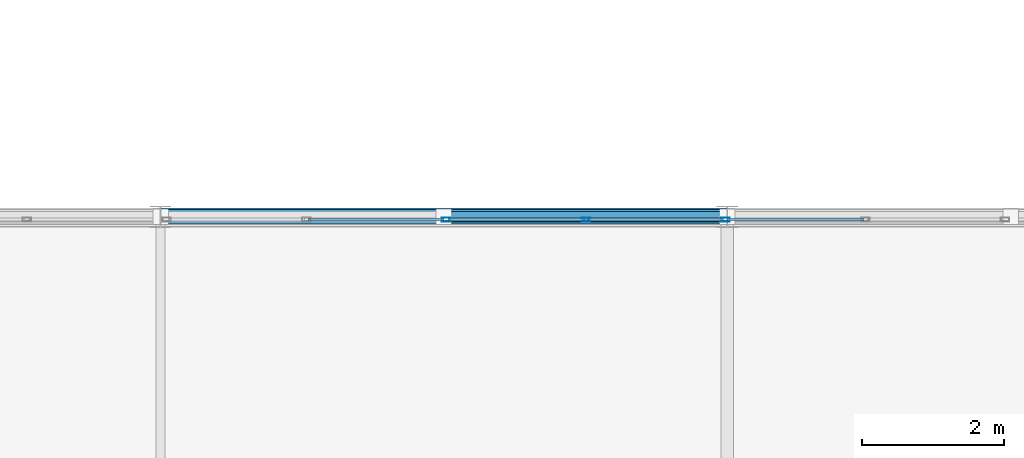
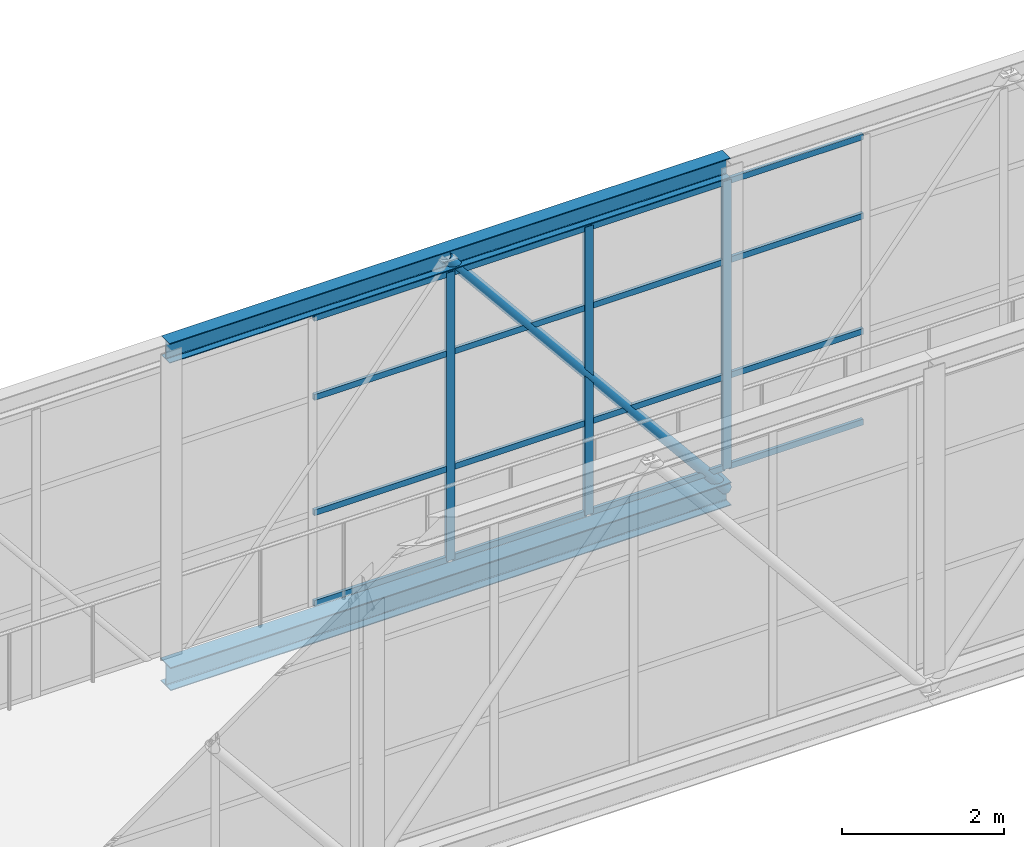
# One storey, part 160 of 248: 22 members, 1 element without a shape of its own.
"""IFC4 building model written with IfcOpenShell, lengths in metres."""

from ifc_helpers import new_model, si_unit, direction, frame, origin, origin_2d, place, context, subcontext, project, spatial, hollow_rectangle, hollow_circle, i_section, extrude, material, layer, layer_set, material_profile, profile_set, type_object, element, aggregate, save


model = new_model("IFC4")

# Units and contexts
model_context = context("Model", 3, precision=1e-05, world=origin(), true_north=direction((0.0, 1.0)))
body_context = subcontext(model_context, "Body", "Model", "MODEL_VIEW")
ifc_project = project(units=[si_unit("LENGTHUNIT", "METRE"), si_unit("AREAUNIT", "SQUARE_METRE"), si_unit("VOLUMEUNIT", "CUBIC_METRE"), si_unit("PLANEANGLEUNIT", "RADIAN"), si_unit("MASSUNIT", "GRAM", prefix="KILO")], contexts=[model_context])

# Site, building, storey
site_placement = place(None, origin())
site = spatial("IfcSite", under=ifc_project, at=site_placement, CompositionType="ELEMENT")
building_placement = place(site_placement, origin())
building = spatial("IfcBuilding", under=site, at=building_placement, Name="Canggui Botanical Conservatory", CompositionType="ELEMENT")
storey_placement = place(building_placement, frame((0.0, 0.0, 5.39990234375)))
storey = spatial("IfcBuildingStorey", under=building, at=storey_placement, Name="L02", CompositionType="ELEMENT", Elevation=5.39990234375)

# Curtain wall, members
ifc_material_1 = material(Name="Thermally Broken Aluminium", Category="aluminium")
ifc_layer = layer(ifc_material_1, 0.1201171875, Name="Thermally Broken Aluminium", Category="aluminium")
ifc_layer_set = layer_set([ifc_layer], Name="Thermally Broken Aluminium")
curtain_wall_type = type_object("IfcCurtainWallType", Name="CW-STICK-B", PredefinedType="USERDEFINED", material=ifc_layer_set)
curtain_wall_placement = place(storey_placement, origin())
curtain_wall = element("IfcCurtainWall", 1, at=curtain_wall_placement, inside=storey, type_object=curtain_wall_type, Name="Facade Curtain Wall CW-SB-04-2", ObjectType="STICK GLAZED WALL", PredefinedType="USERDEFINED")
ifc_material_profile_1 = material_profile(ifc_material_1, hollow_rectangle(XDim=0.054931640625, YDim=0.1201171875, WallThickness=0.0029296875, at=origin_2d()), Name="CWM 55x120x3")
ifc_profile_set_1 = profile_set([ifc_material_profile_1], Name="Thermally Broken Aluminium")
member_type_1 = type_object("IfcMemberType", Name="CWM-05", PredefinedType="MULLION", material=ifc_profile_set_1)
member_1_placement = place(storey_placement, frame((101.530517578125, 79.9599609375, 0.0), z_axis=(0.0, 0.0, 1.0), x_axis=(0.0, 1.0, 0.0)))
member_1 = element("IfcMember", 2, at=member_1_placement, type_object=member_type_1, Name="CW-05 mullion 19", PredefinedType="MULLION", context=body_context, shape_type="SweptSolid", body=[
    extrude(hollow_rectangle(XDim=0.054931640625, YDim=0.1201171875, WallThickness=0.0029296875, at=origin_2d()), origin(), (0.0, 0.0, 1.0), 4.35009765625),
])
member_2_placement = place(storey_placement, frame((103.50341796875, 79.9599609375, 0.0), z_axis=(0.0, 0.0, 1.0), x_axis=(0.0, 1.0, 0.0)))
member_2 = element("IfcMember", 3, at=member_2_placement, type_object=member_type_1, Name="CW-05 mullion 20", PredefinedType="MULLION", context=body_context, shape_type="SweptSolid", body=[
    extrude(hollow_rectangle(XDim=0.054931640625, YDim=0.1201171875, WallThickness=0.0029296875, at=origin_2d()), origin(), (0.0, 0.0, 1.0), 4.35009765625),
])
member_3_placement = place(storey_placement, frame((105.476318359375, 79.9599609375, 0.0), z_axis=(0.0, 0.0, 1.0), x_axis=(0.0, 1.0, 0.0)))
member_3 = element("IfcMember", 4, at=member_3_placement, type_object=member_type_1, Name="CW-05 mullion 21", PredefinedType="MULLION", context=body_context, shape_type="SweptSolid", body=[
    extrude(hollow_rectangle(XDim=0.054931640625, YDim=0.1201171875, WallThickness=0.0029296875, at=origin_2d()), origin(), (0.0, 0.0, 1.0), 4.35009765625),
])
ifc_material_profile_2 = material_profile(ifc_material_1, hollow_rectangle(XDim=0.044921875, YDim=0.090087890625, WallThickness=0.0029296875, at=origin_2d()), Name="CWT 45x90x3")
ifc_profile_set_2 = profile_set([ifc_material_profile_2], Name="Thermally Broken Aluminium")
member_type_2 = type_object("IfcMemberType", Name="CWT-05", PredefinedType="USERDEFINED", material=ifc_profile_set_2)
member_4_placement = place(storey_placement, frame((99.585205078125, 79.9599609375, 0.022705078125), z_axis=(1.0, 0.0, 0.0), x_axis=(0.0, 1.0, 0.0)))
member_4 = element("IfcMember", 5, at=member_4_placement, type_object=member_type_2, Name="CW-05 transom 18.1", ObjectType="TRANSOM", PredefinedType="USERDEFINED", context=body_context, shape_type="SweptSolid", body=[
    extrude(hollow_rectangle(XDim=0.044921875, YDim=0.090087890625, WallThickness=0.0029296875, at=origin_2d()), origin(), (0.0, 0.0, 1.0), 1.91796875),
])
member_5_placement = place(storey_placement, frame((99.585205078125, 79.9599609375, 1.39208984375), z_axis=(1.0, 0.0, 0.0), x_axis=(0.0, 1.0, 0.0)))
member_5 = element("IfcMember", 6, at=member_5_placement, type_object=member_type_2, Name="CW-05 transom 18.2", ObjectType="TRANSOM", PredefinedType="USERDEFINED", context=body_context, shape_type="SweptSolid", body=[
    extrude(hollow_rectangle(XDim=0.044921875, YDim=0.090087890625, WallThickness=0.0029296875, at=origin_2d()), origin(), (0.0, 0.0, 1.0), 1.91796875),
])
member_6_placement = place(storey_placement, frame((99.585205078125, 79.9599609375, 3.132080078125), z_axis=(1.0, 0.0, 0.0), x_axis=(0.0, 1.0, 0.0)))
member_6 = element("IfcMember", 7, at=member_6_placement, type_object=member_type_2, Name="CW-05 transom 18.3", ObjectType="TRANSOM", PredefinedType="USERDEFINED", context=body_context, shape_type="SweptSolid", body=[
    extrude(hollow_rectangle(XDim=0.044921875, YDim=0.090087890625, WallThickness=0.0029296875, at=origin_2d()), origin(), (0.0, 0.0, 1.0), 1.91796875),
])
member_7_placement = place(storey_placement, frame((99.585205078125, 79.9599609375, 4.32763671875), z_axis=(1.0, 0.0, 0.0), x_axis=(0.0, 1.0, 0.0)))
member_7 = element("IfcMember", 8, at=member_7_placement, type_object=member_type_2, Name="CW-05 transom 18.4", ObjectType="TRANSOM", PredefinedType="USERDEFINED", context=body_context, shape_type="SweptSolid", body=[
    extrude(hollow_rectangle(XDim=0.044921875, YDim=0.090087890625, WallThickness=0.0029296875, at=origin_2d()), origin(), (0.0, 0.0, 1.0), 1.91796875),
])
member_8_placement = place(storey_placement, frame((101.55810546875, 79.9599609375, 0.022705078125), z_axis=(1.0, 0.0, 0.0), x_axis=(0.0, 1.0, 0.0)))
member_8 = element("IfcMember", 9, at=member_8_placement, type_object=member_type_2, Name="CW-05 transom 19.1", ObjectType="TRANSOM", PredefinedType="USERDEFINED", context=body_context, shape_type="SweptSolid", body=[
    extrude(hollow_rectangle(XDim=0.044921875, YDim=0.090087890625, WallThickness=0.0029296875, at=origin_2d()), origin(), (0.0, 0.0, 1.0), 1.917724609375),
])
member_9_placement = place(storey_placement, frame((101.55810546875, 79.9599609375, 1.39208984375), z_axis=(1.0, 0.0, 0.0), x_axis=(0.0, 1.0, 0.0)))
member_9 = element("IfcMember", 10, at=member_9_placement, type_object=member_type_2, Name="CW-05 transom 19.2", ObjectType="TRANSOM", PredefinedType="USERDEFINED", context=body_context, shape_type="SweptSolid", body=[
    extrude(hollow_rectangle(XDim=0.044921875, YDim=0.090087890625, WallThickness=0.0029296875, at=origin_2d()), origin(), (0.0, 0.0, 1.0), 1.917724609375),
])
member_10_placement = place(storey_placement, frame((101.55810546875, 79.9599609375, 3.132080078125), z_axis=(1.0, 0.0, 0.0), x_axis=(0.0, 1.0, 0.0)))
member_10 = element("IfcMember", 11, at=member_10_placement, type_object=member_type_2, Name="CW-05 transom 19.3", ObjectType="TRANSOM", PredefinedType="USERDEFINED", context=body_context, shape_type="SweptSolid", body=[
    extrude(hollow_rectangle(XDim=0.044921875, YDim=0.090087890625, WallThickness=0.0029296875, at=origin_2d()), origin(), (0.0, 0.0, 1.0), 1.917724609375),
])
member_11_placement = place(storey_placement, frame((101.55810546875, 79.9599609375, 4.32763671875), z_axis=(1.0, 0.0, 0.0), x_axis=(0.0, 1.0, 0.0)))
member_11 = element("IfcMember", 12, at=member_11_placement, type_object=member_type_2, Name="CW-05 transom 19.4", ObjectType="TRANSOM", PredefinedType="USERDEFINED", context=body_context, shape_type="SweptSolid", body=[
    extrude(hollow_rectangle(XDim=0.044921875, YDim=0.090087890625, WallThickness=0.0029296875, at=origin_2d()), origin(), (0.0, 0.0, 1.0), 1.917724609375),
])
member_12_placement = place(storey_placement, frame((103.531005859375, 79.9599609375, 0.022705078125), z_axis=(1.0, 0.0, 0.0), x_axis=(0.0, 1.0, 0.0)))
member_12 = element("IfcMember", 13, at=member_12_placement, type_object=member_type_2, Name="CW-05 transom 20.1", ObjectType="TRANSOM", PredefinedType="USERDEFINED", context=body_context, shape_type="SweptSolid", body=[
    extrude(hollow_rectangle(XDim=0.044921875, YDim=0.090087890625, WallThickness=0.0029296875, at=origin_2d()), origin(), (0.0, 0.0, 1.0), 1.917724609375),
])
member_13_placement = place(storey_placement, frame((103.531005859375, 79.9599609375, 1.39208984375), z_axis=(1.0, 0.0, 0.0), x_axis=(0.0, 1.0, 0.0)))
member_13 = element("IfcMember", 14, at=member_13_placement, type_object=member_type_2, Name="CW-05 transom 20.2", ObjectType="TRANSOM", PredefinedType="USERDEFINED", context=body_context, shape_type="SweptSolid", body=[
    extrude(hollow_rectangle(XDim=0.044921875, YDim=0.090087890625, WallThickness=0.0029296875, at=origin_2d()), origin(), (0.0, 0.0, 1.0), 1.917724609375),
])
member_14_placement = place(storey_placement, frame((103.531005859375, 79.9599609375, 3.132080078125), z_axis=(1.0, 0.0, 0.0), x_axis=(0.0, 1.0, 0.0)))
member_14 = element("IfcMember", 15, at=member_14_placement, type_object=member_type_2, Name="CW-05 transom 20.3", ObjectType="TRANSOM", PredefinedType="USERDEFINED", context=body_context, shape_type="SweptSolid", body=[
    extrude(hollow_rectangle(XDim=0.044921875, YDim=0.090087890625, WallThickness=0.0029296875, at=origin_2d()), origin(), (0.0, 0.0, 1.0), 1.917724609375),
])
member_15_placement = place(storey_placement, frame((103.531005859375, 79.9599609375, 4.32763671875), z_axis=(1.0, 0.0, 0.0), x_axis=(0.0, 1.0, 0.0)))
member_15 = element("IfcMember", 16, at=member_15_placement, type_object=member_type_2, Name="CW-05 transom 20.4", ObjectType="TRANSOM", PredefinedType="USERDEFINED", context=body_context, shape_type="SweptSolid", body=[
    extrude(hollow_rectangle(XDim=0.044921875, YDim=0.090087890625, WallThickness=0.0029296875, at=origin_2d()), origin(), (0.0, 0.0, 1.0), 1.917724609375),
])
member_16_placement = place(storey_placement, frame((105.503662109375, 79.9599609375, 0.022705078125), z_axis=(1.0, 0.0, 0.0), x_axis=(0.0, 1.0, 0.0)))
member_16 = element("IfcMember", 17, at=member_16_placement, type_object=member_type_2, Name="CW-05 transom 21.1", ObjectType="TRANSOM", PredefinedType="USERDEFINED", context=body_context, shape_type="SweptSolid", body=[
    extrude(hollow_rectangle(XDim=0.044921875, YDim=0.090087890625, WallThickness=0.0029296875, at=origin_2d()), origin(), (0.0, 0.0, 1.0), 1.91796875),
])
member_17_placement = place(storey_placement, frame((105.503662109375, 79.9599609375, 1.39208984375), z_axis=(1.0, 0.0, 0.0), x_axis=(0.0, 1.0, 0.0)))
member_17 = element("IfcMember", 18, at=member_17_placement, type_object=member_type_2, Name="CW-05 transom 21.2", ObjectType="TRANSOM", PredefinedType="USERDEFINED", context=body_context, shape_type="SweptSolid", body=[
    extrude(hollow_rectangle(XDim=0.044921875, YDim=0.090087890625, WallThickness=0.0029296875, at=origin_2d()), origin(), (0.0, 0.0, 1.0), 1.91796875),
])
member_18_placement = place(storey_placement, frame((105.503662109375, 79.9599609375, 3.132080078125), z_axis=(1.0, 0.0, 0.0), x_axis=(0.0, 1.0, 0.0)))
member_18 = element("IfcMember", 19, at=member_18_placement, type_object=member_type_2, Name="CW-05 transom 21.3", ObjectType="TRANSOM", PredefinedType="USERDEFINED", context=body_context, shape_type="SweptSolid", body=[
    extrude(hollow_rectangle(XDim=0.044921875, YDim=0.090087890625, WallThickness=0.0029296875, at=origin_2d()), origin(), (0.0, 0.0, 1.0), 1.91796875),
])
member_19_placement = place(storey_placement, frame((105.503662109375, 79.9599609375, 4.32763671875), z_axis=(1.0, 0.0, 0.0), x_axis=(0.0, 1.0, 0.0)))
member_19 = element("IfcMember", 20, at=member_19_placement, type_object=member_type_2, Name="CW-05 transom 21.4", ObjectType="TRANSOM", PredefinedType="USERDEFINED", context=body_context, shape_type="SweptSolid", body=[
    extrude(hollow_rectangle(XDim=0.044921875, YDim=0.090087890625, WallThickness=0.0029296875, at=origin_2d()), origin(), (0.0, 0.0, 1.0), 1.91796875),
])
aggregate(curtain_wall, [member_1, member_2, member_3, member_4, member_5, member_6, member_7, member_8, member_9, member_10, member_11, member_12, member_13, member_14, member_15, member_16, member_17, member_18, member_19])

# Members
ifc_material_2 = material(Name="Steel Q355C", Category="steel")
ifc_material_profile_3 = material_profile(ifc_material_2, hollow_circle(Radius=0.075927734375, WallThickness=0.006103515625, at=origin_2d()), Name="CHS 152x6")
ifc_profile_set_3 = profile_set([ifc_material_profile_3], Name="Steel Q355C")
member_type_3 = type_object("IfcMemberType", Name="MEM-GSD04", PredefinedType="RAFTER", material=ifc_profile_set_3)
member_20_placement = place(storey_placement, frame((101.5, 80.0, 4.550048828125), z_axis=(0.632384053133, 0.0, -0.774655026024), x_axis=(0.0, 1.0, 0.0)))
element("IfcMember", 21, at=member_20_placement, inside=storey, type_object=member_type_3, Name="SB-04 Truss Web Rafter 2.6B", PredefinedType="RAFTER", context=body_context, shape_type="SweptSolid", body=[
    extrude(hollow_circle(Radius=0.075927734375, WallThickness=0.006103515625, at=origin_2d()), origin(), (0.0, 0.0, 1.0), 6.3251953125),
])
ifc_material_3 = material(Name="Steel Q355B", Category="steel")
ifc_material_profile_4 = material_profile(ifc_material_3, i_section(OverallWidth=0.25, OverallDepth=0.35009765625, WebThickness=0.009033203125, FlangeThickness=0.013916015625, FilletRadius=0.02001953125, at=origin_2d()), Name="HM 350x250x9x14")
ifc_profile_set_4 = profile_set([ifc_material_profile_4], Name="Steel Q355B")
member_type_4 = type_object("IfcMemberType", Name="MEM-TC03", PredefinedType="CHORD", material=ifc_profile_set_4)
member_21_placement = place(storey_placement, frame((97.5, 80.0, -0.349853515625), z_axis=(1.0, 0.0, 0.0), x_axis=(0.0, 1.0, 0.0)))
element("IfcMember", 22, at=member_21_placement, inside=storey, type_object=member_type_4, Name="SB-04 Deck Truss Bottom Chord 2.6", PredefinedType="CHORD", context=body_context, shape_type="SweptSolid", body=[
    extrude(i_section(OverallWidth=0.25, OverallDepth=0.35009765625, WebThickness=0.009033203125, FlangeThickness=0.013916015625, FilletRadius=0.02001953125, at=origin_2d()), origin(), (0.0, 0.0, 1.0), 8.0),
])
ifc_material_profile_5 = material_profile(ifc_material_3, i_section(OverallWidth=0.199951171875, OverallDepth=0.300048828125, WebThickness=0.008056640625, FlangeThickness=0.011962890625, FilletRadius=0.01806640625, at=origin_2d()), Name="HM 300x200x8x12")
ifc_profile_set_5 = profile_set([ifc_material_profile_5], Name="Steel Q355B")
member_type_5 = type_object("IfcMemberType", Name="MEM-TC04", PredefinedType="CHORD", material=ifc_profile_set_5)
member_22_placement = place(storey_placement, frame((97.5, 80.0, 4.550048828125), z_axis=(1.0, 0.0, 0.0), x_axis=(0.0, 1.0, 0.0)))
element("IfcMember", 23, at=member_22_placement, inside=storey, type_object=member_type_5, Name="SB-04 Roof Truss Top Chord 2.6", PredefinedType="CHORD", context=body_context, shape_type="SweptSolid", body=[
    extrude(i_section(OverallWidth=0.199951171875, OverallDepth=0.300048828125, WebThickness=0.008056640625, FlangeThickness=0.011962890625, FilletRadius=0.01806640625, at=origin_2d()), origin(), (0.0, 0.0, 1.0), 8.0),
])

save(model, "model.ifc")
